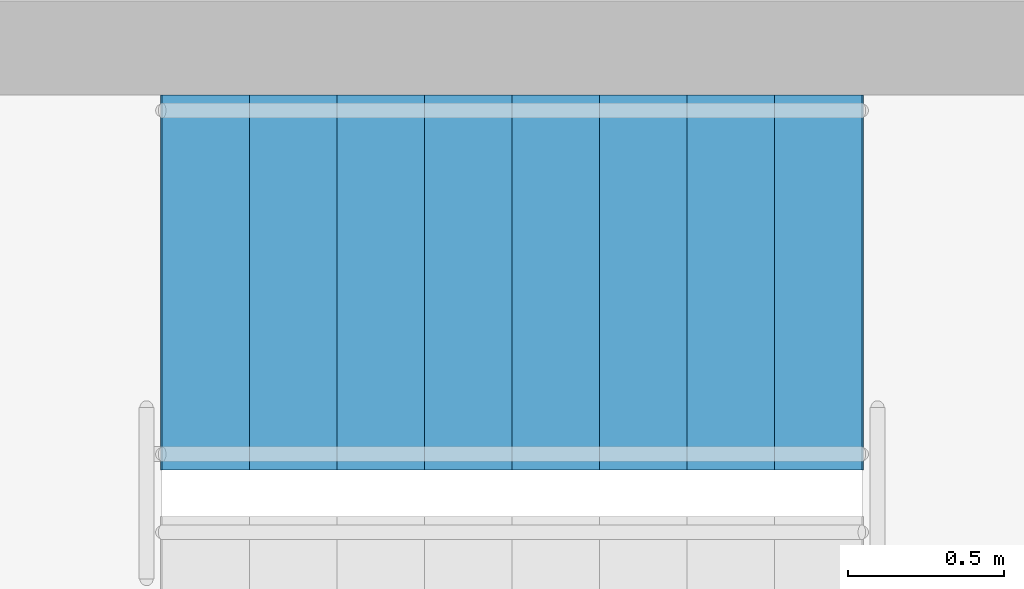
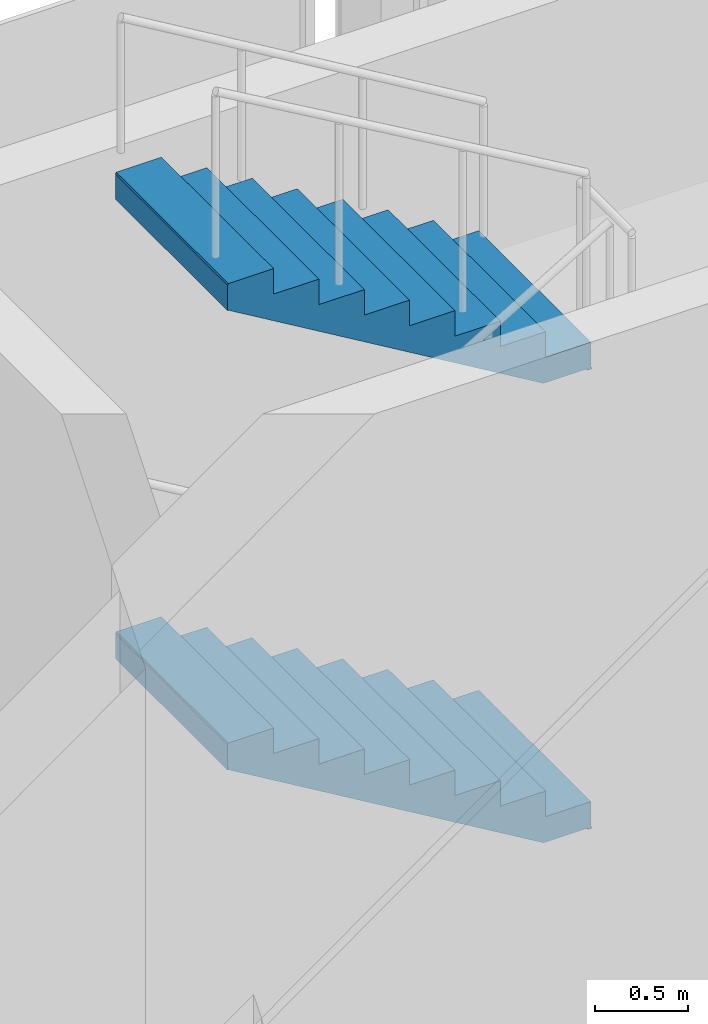
# One storey, part 9 of 12: 2 stair flights, 1 element without a shape of its own.
"""IFC4 building model written with IfcOpenShell, lengths in metres."""

from ifc_helpers import new_model, si_unit, direction, frame, origin, place, context, subcontext, project, spatial, polyline, outline, extrude, material, type_object, element, aggregate, save


model = new_model("IFC4")

# Units and contexts
model_context = context("Model", 3, precision=1e-05, world=origin(), true_north=direction((0.0, 1.0)))
body_context = subcontext(model_context, "Body", "Model", "MODEL_VIEW")
ifc_project = project(units=[si_unit("LENGTHUNIT", "METRE"), si_unit("AREAUNIT", "SQUARE_METRE"), si_unit("VOLUMEUNIT", "CUBIC_METRE"), si_unit("PLANEANGLEUNIT", "RADIAN"), si_unit("MASSUNIT", "GRAM", prefix="KILO")], contexts=[model_context])

# Site, building, storey
site_placement = place(None, origin())
site = spatial("IfcSite", under=ifc_project, at=site_placement, CompositionType="ELEMENT")
building_placement = place(site_placement, origin())
building = spatial("IfcBuilding", under=site, at=building_placement, Name="Plateau Cross Towers", CompositionType="ELEMENT")
storey_placement = place(building_placement, frame((0.0, 0.0, 236.39990234375)))
storey = spatial("IfcBuildingStorey", under=building, at=storey_placement, Name="L62", CompositionType="ELEMENT", Elevation=236.39990234375)

# Stair, stair flights
ifc_material = material(Name="Concrete C40/50", Category="concrete")
stair_type = type_object("IfcStairType", Name="ST-TWR", PredefinedType="HALF_TURN_STAIR", material=ifc_material)
stair_placement = place(storey_placement, origin())
stair = element("IfcStair", 1, at=stair_placement, inside=storey, type_object=stair_type, Name="L62 Protected Exit Stair E", PredefinedType="HALF_TURN_STAIR")
stair_flight_type = type_object("IfcStairFlightType", Name="SFL-RC", PredefinedType="STRAIGHT", material=ifc_material)
stair_flight_1_placement = place(storey_placement, frame((48.739990234375, 9.675048828125, 1.5), z_axis=(0.0, 0.0, 1.0), x_axis=(-1.0, 0.0, 0.0)))
stair_flight_1 = element("IfcStairFlight", 2, at=stair_flight_1_placement, type_object=stair_flight_type, Name="ES-E flight 2", NumberOfRisers=9, NumberOfTreads=8, PredefinedType="STRAIGHT", RiserHeight=0.166666667, TreadLength=0.28, context=body_context, shape_type="SweptSolid", body=[
    extrude(outline(polyline([(-0.0048828125, -0.010009765625), (-0.0048828125, 0.0), (0.0, 0.0), (0.0, 0.166748046875), (0.280029296875, 0.166748046875), (0.280029296875, 0.333251953125), (0.56005859375, 0.333251953125), (0.56005859375, 0.5), (0.840087890625, 0.5), (0.840087890625, 0.666748046875), (1.1201171875, 0.666748046875), (1.1201171875, 0.833251953125), (1.39990234375, 0.833251953125), (1.39990234375, 1.0), (1.679931640625, 1.0), (1.679931640625, 1.166748046875), (1.9599609375, 1.166748046875), (1.9599609375, 1.333251953125), (2.239990234375, 1.333251953125), (2.2451171875, 1.3232421875), (2.2451171875, 1.158935546875), (2.239990234375, 1.158935546875), (0.29296875, 0.0), (0.02001953125, 0.0), (0.02001953125, -0.010009765625), (-0.0048828125, -0.010009765625)])), frame((0.0, 0.60009765625, 0.0), z_axis=(0.0, -1.0, 0.0), x_axis=(1.0, 0.0, 0.0)), (0.0, 0.0, 1.0), 1.199951171875),
])
stair_flight_2_placement = place(storey_placement, frame((48.739990234375, 9.675048828125, 4.5), z_axis=(0.0, 0.0, 1.0), x_axis=(-1.0, 0.0, 0.0)))
stair_flight_2 = element("IfcStairFlight", 3, at=stair_flight_2_placement, type_object=stair_flight_type, Name="ES-E flight 4", NumberOfRisers=9, NumberOfTreads=8, PredefinedType="STRAIGHT", RiserHeight=0.166666667, TreadLength=0.28, context=body_context, shape_type="SweptSolid", body=[
    extrude(outline(polyline([(-0.0048828125, -0.010009765625), (-0.0048828125, 0.0), (0.0, 0.0), (0.0, 0.166748046875), (0.280029296875, 0.166748046875), (0.280029296875, 0.333251953125), (0.56005859375, 0.333251953125), (0.56005859375, 0.5), (0.840087890625, 0.5), (0.840087890625, 0.666748046875), (1.1201171875, 0.666748046875), (1.1201171875, 0.833251953125), (1.39990234375, 0.833251953125), (1.39990234375, 1.0), (1.679931640625, 1.0), (1.679931640625, 1.166748046875), (1.9599609375, 1.166748046875), (1.9599609375, 1.333251953125), (2.239990234375, 1.333251953125), (2.2451171875, 1.3232421875), (2.2451171875, 1.158935546875), (2.239990234375, 1.158935546875), (0.29296875, 0.0), (0.02001953125, 0.0), (0.02001953125, -0.010009765625), (-0.0048828125, -0.010009765625)])), frame((0.0, 0.60009765625, 0.0), z_axis=(0.0, -1.0, 0.0), x_axis=(1.0, 0.0, 0.0)), (0.0, 0.0, 1.0), 1.199951171875),
])
aggregate(stair, [stair_flight_1, stair_flight_2])

save(model, "model.ifc")
